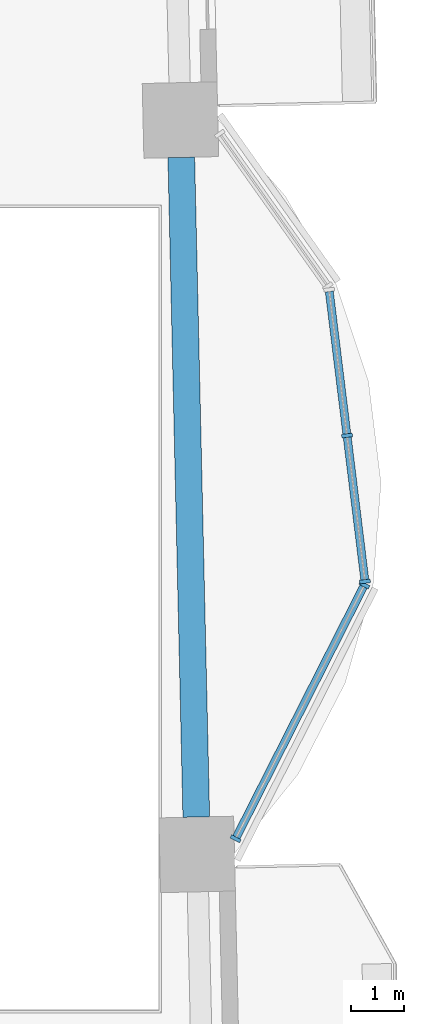
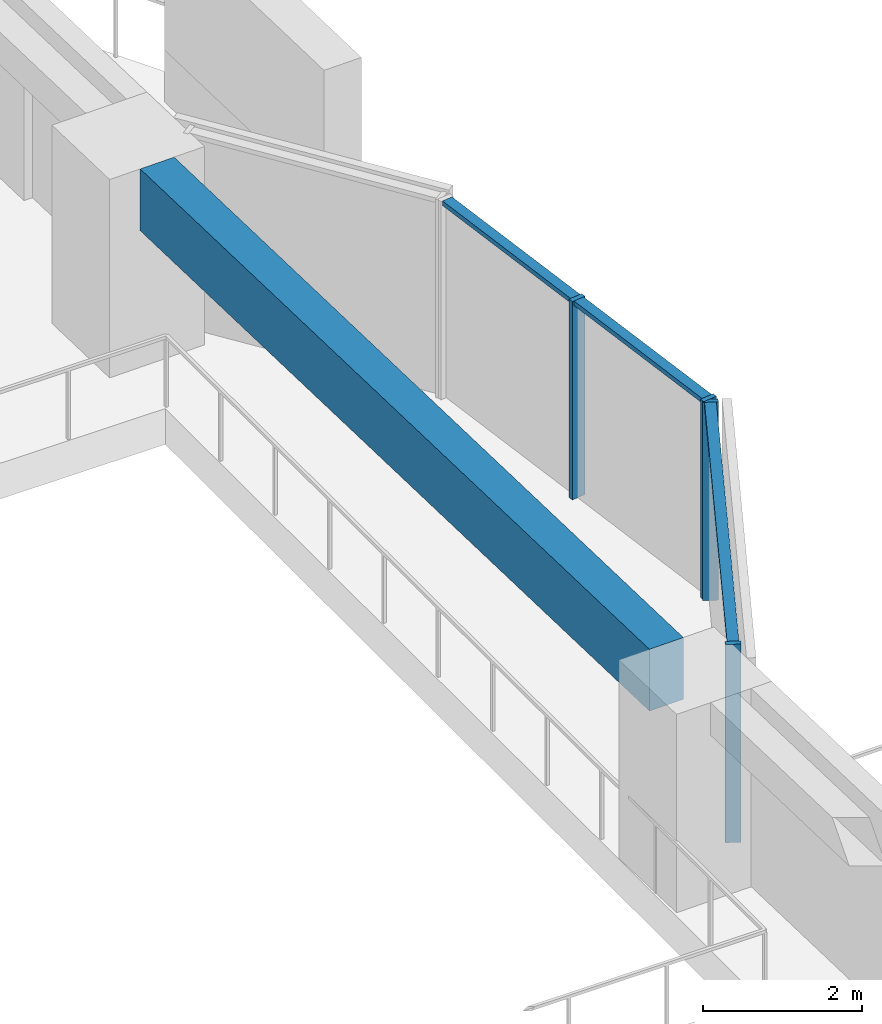
# One storey, part 2 of 17: 7 members, 1 beam, 2 elements without a shape of their own.
"""IFC4 building model written with IfcOpenShell, lengths in metres."""

from ifc_helpers import new_model, si_unit, direction, frame, origin, origin_2d, place, context, subcontext, project, spatial, rectangle, extrude, material, material_profile, profile_set, type_object, element, aggregate, save


model = new_model("IFC4")

# Units and contexts
model_context = context("Model", 3, precision=1e-05, world=origin(), true_north=direction((0.0, 1.0)))
body_context = subcontext(model_context, "Body", "Model", "MODEL_VIEW")
ifc_project = project(units=[si_unit("LENGTHUNIT", "METRE"), si_unit("AREAUNIT", "SQUARE_METRE"), si_unit("VOLUMEUNIT", "CUBIC_METRE"), si_unit("PLANEANGLEUNIT", "RADIAN"), si_unit("MASSUNIT", "GRAM", prefix="KILO")], contexts=[model_context])

# Site, building, storey
site_placement = place(None, origin())
site = spatial("IfcSite", under=ifc_project, at=site_placement, CompositionType="ELEMENT")
building_placement = place(site_placement, origin())
building = spatial("IfcBuilding", under=site, at=building_placement, Name="Mangrove Gate Tower", CompositionType="ELEMENT")
storey_placement = place(building_placement, frame((0.0, 0.0, 93.699951171875)))
storey = spatial("IfcBuildingStorey", under=building, at=storey_placement, Name="L23", CompositionType="ELEMENT", Elevation=93.699951171875)

# Curtain wall, members
ifc_material_1 = material(Name="Aluminium and glass curtain wall", Category="aluminium")
curtain_wall_type = type_object("IfcCurtainWallType", Name="Atrium garden-court glazing wall", PredefinedType="NOTDEFINED", material=ifc_material_1)
curtain_wall_1_placement = place(storey_placement, origin())
curtain_wall_1 = element("IfcCurtainWall", 1, at=curtain_wall_1_placement, inside=storey, type_object=curtain_wall_type, Name="Atrium garden-court glazing E1f1", PredefinedType="NOTDEFINED")
ifc_material_2 = material(Name="Aluminium alloy 6063-T6", Category="aluminium")
ifc_material_profile_1 = material_profile(ifc_material_2, rectangle(XDim=0.070068359375, YDim=0.199951171875, at=origin_2d()))
ifc_profile_set_1 = profile_set([ifc_material_profile_1], Name="Aluminium alloy 6063-T6")
member_type_1 = type_object("IfcMemberType", Name="Atrium garden-court glazing mullion 70x200", PredefinedType="MULLION", material=ifc_profile_set_1)
member_1_placement = place(storey_placement, frame((30.105224609375, -4.3037109375, 0.0), z_axis=(0.0, 0.0, 1.0), x_axis=(0.452580762064, 0.891723417776, 0.0)))
member_1 = element("IfcMember", 2, at=member_1_placement, type_object=member_type_1, Name="CWA mullion 1", PredefinedType="MULLION", context=body_context, shape_type="SweptSolid", body=[
    extrude(rectangle(XDim=0.070068359375, YDim=0.199951171875, at=origin_2d()), origin(), (0.0, 0.0, 1.0), 3.050048828125),
])
member_2_placement = place(storey_placement, frame((32.516357421875, 0.44677734375, 0.0), z_axis=(0.0, 0.0, 1.0), x_axis=(0.452580762064, 0.891723417776, 0.0)))
member_2 = element("IfcMember", 3, at=member_2_placement, type_object=member_type_1, Name="CWA mullion 2", PredefinedType="MULLION", context=body_context, shape_type="SweptSolid", body=[
    extrude(rectangle(XDim=0.070068359375, YDim=0.199951171875, at=origin_2d()), origin(), (0.0, 0.0, 1.0), 3.050048828125),
])

curtain_wall_2_placement = place(storey_placement, origin())
curtain_wall_2 = element("IfcCurtainWall", 4, at=curtain_wall_2_placement, inside=storey, type_object=curtain_wall_type, Name="Atrium garden-court glazing E1f2", PredefinedType="NOTDEFINED")
member_3_placement = place(storey_placement, frame((32.528076171875, 0.512939453125, 0.0), z_axis=(0.0, 0.0, 1.0), x_axis=(-0.122172286076, 0.992508908028, 0.0)))
member_3 = element("IfcMember", 5, at=member_3_placement, type_object=member_type_1, Name="CWA mullion 1", PredefinedType="MULLION", context=body_context, shape_type="SweptSolid", body=[
    extrude(rectangle(XDim=0.070068359375, YDim=0.199951171875, at=origin_2d()), origin(), (0.0, 0.0, 1.0), 3.050048828125),
])
member_4_placement = place(storey_placement, frame((32.19189453125, 3.243896484375, 0.0), z_axis=(0.0, 0.0, 1.0), x_axis=(-0.122172286076, 0.992508908028, 0.0)))
member_4 = element("IfcMember", 6, at=member_4_placement, type_object=member_type_1, Name="CWA mullion 2", PredefinedType="MULLION", context=body_context, shape_type="SweptSolid", body=[
    extrude(rectangle(XDim=0.070068359375, YDim=0.199951171875, at=origin_2d()), origin(), (0.0, 0.0, 1.0), 3.050048828125),
])

# Member
ifc_material_3 = material(Name="Aluminium alloy 6063-T6", Category="aluminium")
ifc_material_profile_2 = material_profile(ifc_material_3, rectangle(XDim=0.070068359375, YDim=0.14990234375, at=origin_2d()))
ifc_profile_set_2 = profile_set([ifc_material_profile_2], Name="Aluminium alloy 6063-T6")
member_type_2 = type_object("IfcMemberType", Name="Atrium garden-court glazing transom 70x150", PredefinedType="USERDEFINED", material=ifc_profile_set_2)
member_5_placement = place(storey_placement, frame((30.12109375, -4.2724609375, 3.01513671875), z_axis=(0.452573642037, 0.891727031402, 0.0), x_axis=(0.0, 0.0, 1.0)))
member_5 = element("IfcMember", 7, at=member_5_placement, type_object=member_type_2, Name="CWA transom 1.2", ObjectType="TRANSOM", PredefinedType="USERDEFINED", context=body_context, shape_type="SweptSolid", body=[
    extrude(rectangle(XDim=0.070068359375, YDim=0.14990234375, at=origin_2d()), origin(), (0.0, 0.0, 1.0), 5.257568359375),
])

aggregate(curtain_wall_1, [member_1, member_2, member_5])

member_6_placement = place(storey_placement, frame((32.523681640625, 0.547607421875, 3.01513671875), z_axis=(-0.122174517154, 0.992508633392, 0.0), x_axis=(0.0, 0.0, 1.0)))
member_6 = element("IfcMember", 8, at=member_6_placement, type_object=member_type_2, Name="CWA transom 1.2", ObjectType="TRANSOM", PredefinedType="USERDEFINED", context=body_context, shape_type="SweptSolid", body=[
    extrude(rectangle(XDim=0.070068359375, YDim=0.14990234375, at=origin_2d()), origin(), (0.0, 0.0, 1.0), 2.681640625),
])

member_7_placement = place(storey_placement, frame((32.1875, 3.27880859375, 3.01513671875), z_axis=(-0.122174517154, 0.992508633392, 0.0), x_axis=(0.0, 0.0, 1.0)))
member_7 = element("IfcMember", 9, at=member_7_placement, type_object=member_type_2, Name="CWA transom 2.2", ObjectType="TRANSOM", PredefinedType="USERDEFINED", context=body_context, shape_type="SweptSolid", body=[
    extrude(rectangle(XDim=0.070068359375, YDim=0.14990234375, at=origin_2d()), origin(), (0.0, 0.0, 1.0), 2.681640625),
])

aggregate(curtain_wall_2, [member_3, member_4, member_6, member_7])

# Beam
ifc_material_4 = material(Name="Concrete C50/60", Category="concrete")
ifc_material_profile_3 = material_profile(ifc_material_4, rectangle(XDim=0.5, YDim=0.949951171875, at=origin_2d()))
ifc_profile_set_3 = profile_set([ifc_material_profile_3], Name="Concrete C50/60")
beam_type = type_object("IfcBeamType", Name="Edge beam RC 500x950 C50/60", PredefinedType="BEAM", material=ifc_profile_set_3)
beam_placement = place(storey_placement, frame((29.369384765625, -3.89697265625, 2.574951171875), z_axis=(-0.022693564937, 0.999742467894, 0.0), x_axis=(-0.999742467894, -0.022693564937, 0.0)))
element("IfcBeam", 10, at=beam_placement, inside=storey, type_object=beam_type, Name="Edge beam L23 15", PredefinedType="BEAM", context=body_context, shape_type="SweptSolid", body=[
    extrude(rectangle(XDim=0.5, YDim=0.949951171875, at=origin_2d()), origin(), (0.0, 0.0, 1.0), 12.350341796875),
])

save(model, "model.ifc")
